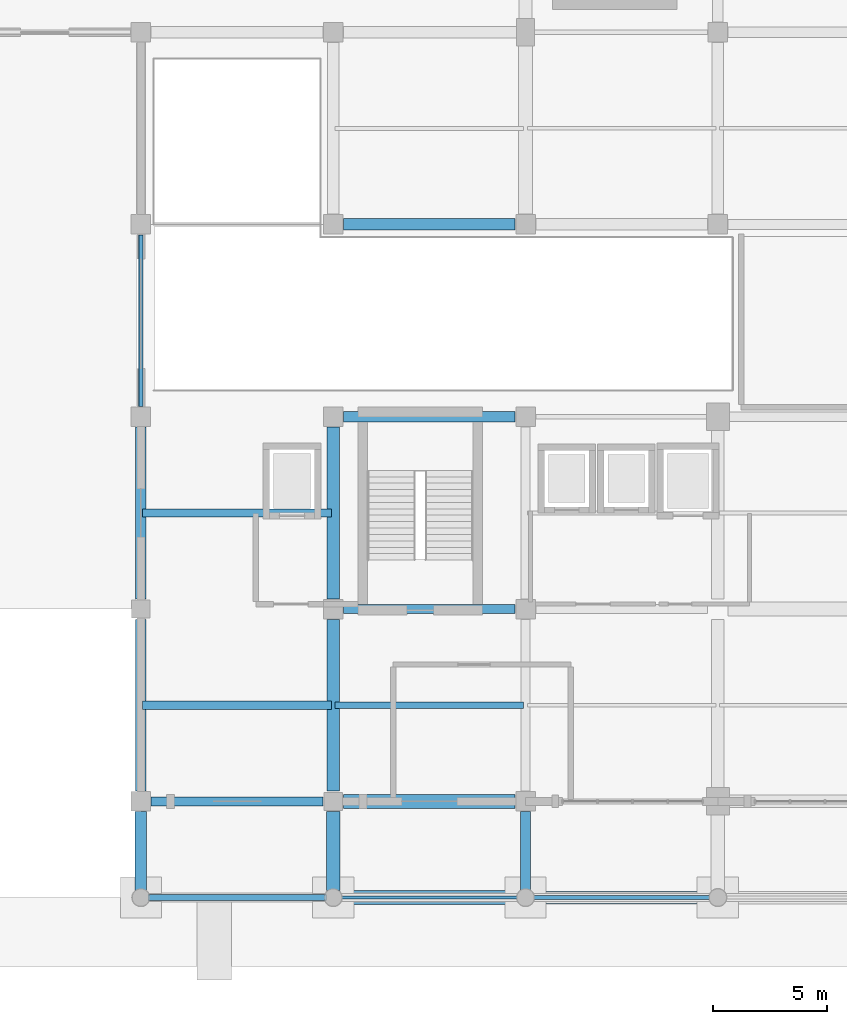
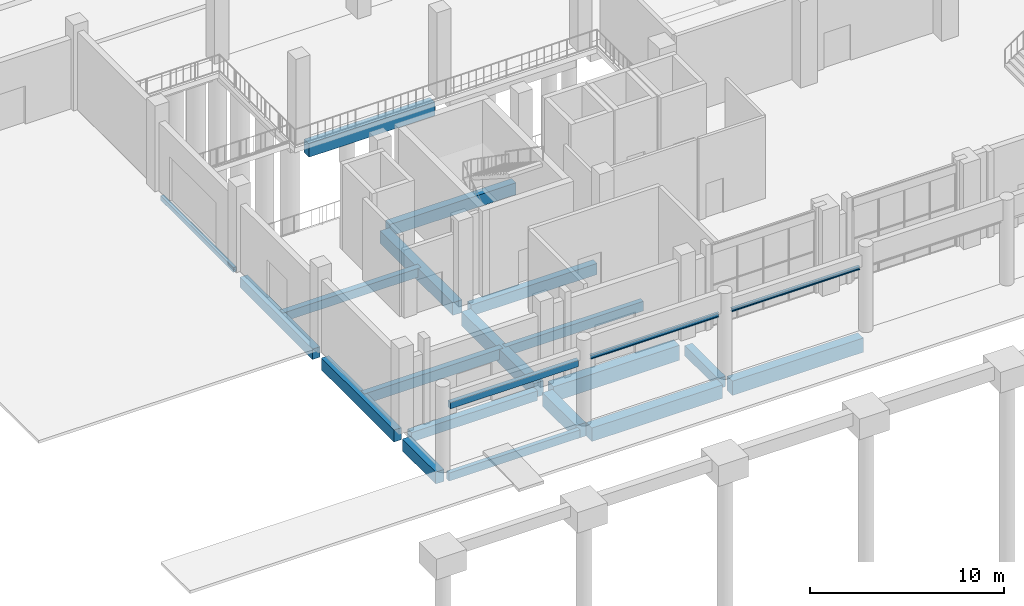
# One storey, part 20 of 82: 22 beams.
"""IFC4 building model written with IfcOpenShell, lengths in metres."""

from ifc_helpers import new_model, si_unit, derived_unit, direction, frame, origin, origin_2d, place, context, subcontext, project, spatial, rectangle, hollow_rectangle, i_section, extrude, material, material_profile, profile_set, type_object, element, save


model = new_model("IFC4")

# Units and contexts
model_context = context("Model", 3, precision=1e-05, world=origin(), true_north=direction((0.0, 1.0)))
body_context = subcontext(model_context, "Body", "Model", "MODEL_VIEW")
ifc_project = project(units=[si_unit("LENGTHUNIT", "METRE"), si_unit("AREAUNIT", "SQUARE_METRE"), si_unit("VOLUMEUNIT", "CUBIC_METRE"), si_unit("PLANEANGLEUNIT", "RADIAN"), si_unit("MASSUNIT", "GRAM", prefix="KILO"), derived_unit("THERMALTRANSMITTANCEUNIT", [(si_unit("POWERUNIT", "WATT"), 1), (si_unit("LENGTHUNIT", "METRE"), -2), (si_unit("THERMODYNAMICTEMPERATUREUNIT", "KELVIN"), -1)])], contexts=[model_context])

# Site, building, storey
site_placement = place(None, origin())
site = spatial("IfcSite", under=ifc_project, at=site_placement, CompositionType="ELEMENT")
building_placement = place(site_placement, origin())
building = spatial("IfcBuilding", under=site, at=building_placement, Name="Barrovel Congress Hotel", CompositionType="ELEMENT")
storey_placement = place(building_placement, origin())
storey = spatial("IfcBuildingStorey", under=building, at=storey_placement, Name="L00", CompositionType="ELEMENT", Elevation=0.0)

# Beams
ifc_material_1 = material(Name="Concrete C40", Category="concrete")
ifc_material_profile_1 = material_profile(ifc_material_1, rectangle(XDim=0.25, YDim=0.39990234375, at=origin_2d()), Name="RC250x400")
ifc_profile_set_1 = profile_set([ifc_material_profile_1], Name="Concrete C40")
beam_type_1 = type_object("IfcBeamType", Name="BM-RC250x400", PredefinedType="LINTEL", material=ifc_profile_set_1)
beam_1_placement = place(storey_placement, frame((17.175048828125, 0.0, 3.89990234375), z_axis=(1.0, 0.0, 0.0), x_axis=(0.0, 1.0, 0.0)))
element("IfcBeam", 1, at=beam_1_placement, inside=storey, type_object=beam_type_1, Name="LIN:L00:16.8-25.2", PredefinedType="LINTEL", context=body_context, shape_type="SweptSolid", body=[
    extrude(rectangle(XDim=0.25, YDim=0.39990234375, at=origin_2d()), origin(), (0.0, 0.0, 1.0), 7.64990234375),
])
ifc_material_profile_2 = material_profile(ifc_material_1, rectangle(XDim=0.25, YDim=0.5, at=origin_2d()), Name="RC250x500")
ifc_profile_set_2 = profile_set([ifc_material_profile_2], Name="Concrete C40")
beam_type_2 = type_object("IfcBeamType", Name="BM-RC250x500", PredefinedType="SPANDREL", material=ifc_profile_set_2)
beam_2_placement = place(storey_placement, frame((17.10009765625, 0.0, -0.570068359375), z_axis=(1.0, 0.0, 0.0), x_axis=(0.0, 1.0, 0.0)))
element("IfcBeam", 2, at=beam_2_placement, inside=storey, type_object=beam_type_2, Name="BMX:L00:0.0:16.8-25.2", PredefinedType="SPANDREL", context=body_context, shape_type="SweptSolid", body=[
    extrude(rectangle(XDim=0.25, YDim=0.5, at=origin_2d()), origin(), (0.0, 0.0, 1.0), 7.7998046875),
])
ifc_material_profile_3 = material_profile(ifc_material_1, rectangle(XDim=0.300048828125, YDim=0.60009765625, at=origin_2d()), Name="RC300x600")
ifc_profile_set_3 = profile_set([ifc_material_profile_3], Name="Concrete C40")
beam_type_3 = type_object("IfcBeamType", Name="BM-RC300x600", PredefinedType="JOIST", material=ifc_profile_set_3)
beam_3_placement = place(storey_placement, frame((25.280029296875, 8.39990234375, -0.6201171875), z_axis=(1.0, 0.0, 0.0), x_axis=(0.0, 1.0, 0.0)))
element("IfcBeam", 3, at=beam_3_placement, inside=storey, type_object=beam_type_3, Name="JST:L00:25.2:8.4", PredefinedType="JOIST", context=body_context, shape_type="SweptSolid", body=[
    extrude(rectangle(XDim=0.300048828125, YDim=0.60009765625, at=origin_2d()), origin(), (0.0, 0.0, 1.0), 8.239990234375),
])
ifc_material_profile_4 = material_profile(ifc_material_1, rectangle(XDim=0.35009765625, YDim=0.550048828125, at=origin_2d()), Name="RC350x550")
ifc_profile_set_4 = profile_set([ifc_material_profile_4], Name="Concrete C40")
beam_type_4 = type_object("IfcBeamType", Name="BM-RC350x550", PredefinedType="JOIST", material=ifc_profile_set_4)
beam_4_placement = place(storey_placement, frame((16.8798828125, 16.800048828125, -0.594970703125), z_axis=(1.0, 0.0, 0.0), x_axis=(0.0, 1.0, 0.0)))
element("IfcBeam", 4, at=beam_4_placement, inside=storey, type_object=beam_type_4, Name="JST:L00:16.8:16.8", PredefinedType="JOIST", context=body_context, shape_type="SweptSolid", body=[
    extrude(rectangle(XDim=0.35009765625, YDim=0.550048828125, at=origin_2d()), origin(), (0.0, 0.0, 1.0), 8.240234375),
])
ifc_material_profile_5 = material_profile(ifc_material_1, rectangle(XDim=0.35009765625, YDim=0.64990234375, at=origin_2d()), Name="RC350x650")
ifc_profile_set_5 = profile_set([ifc_material_profile_5], Name="Concrete C40")
beam_type_5 = type_object("IfcBeamType", Name="BM-RC350x650", PredefinedType="JOIST", material=ifc_profile_set_5)
beam_5_placement = place(storey_placement, frame((16.8798828125, 8.39990234375, -0.64501953125), z_axis=(1.0, 0.0, 0.0), x_axis=(0.0, 1.0, 0.0)))
element("IfcBeam", 5, at=beam_5_placement, inside=storey, type_object=beam_type_5, Name="JST:L00:16.8:8.4", PredefinedType="JOIST", context=body_context, shape_type="SweptSolid", body=[
    extrude(rectangle(XDim=0.35009765625, YDim=0.64990234375, at=origin_2d()), origin(), (0.0, 0.0, 1.0), 8.240234375),
])
ifc_material_profile_6 = material_profile(ifc_material_1, rectangle(XDim=0.39990234375, YDim=0.60009765625, at=origin_2d()), Name="RC400x600")
ifc_profile_set_6 = profile_set([ifc_material_profile_6], Name="Concrete C40")
beam_type_6 = type_object("IfcBeamType", Name="BM-RC400x600", PredefinedType="BEAM", material=ifc_profile_set_6)
beam_6_placement = place(storey_placement, frame((17.25, 4.199951171875, -0.6201171875), z_axis=(1.0, 0.0, 0.0), x_axis=(0.0, 1.0, 0.0)))
element("IfcBeam", 6, at=beam_6_placement, inside=storey, type_object=beam_type_6, Name="BMX:L00:4.2:16.8-25.2", PredefinedType="BEAM", context=body_context, shape_type="SweptSolid", body=[
    extrude(rectangle(XDim=0.39990234375, YDim=0.60009765625, at=origin_2d()), origin(), (0.0, 0.0, 1.0), 7.5),
])
ifc_material_profile_7 = material_profile(ifc_material_1, rectangle(XDim=0.39990234375, YDim=0.699951171875, at=origin_2d()), Name="RC400x700")
ifc_profile_set_7 = profile_set([ifc_material_profile_7], Name="Concrete C40")
beam_type_7 = type_object("IfcBeamType", Name="BM-RC400x700", PredefinedType="BEAM", material=ifc_profile_set_7)
beam_7_placement = place(storey_placement, frame((25.64990234375, 12.60009765625, -0.669921875), z_axis=(1.0, 0.0, 0.0), x_axis=(0.0, 1.0, 0.0)))
element("IfcBeam", 7, at=beam_7_placement, inside=storey, type_object=beam_type_7, Name="BMX:L00:12.6:25.2-33.6", PredefinedType="BEAM", context=body_context, shape_type="SweptSolid", body=[
    extrude(rectangle(XDim=0.39990234375, YDim=0.699951171875, at=origin_2d()), origin(), (0.0, 0.0, 1.0), 7.5),
])
ifc_material_profile_8 = material_profile(ifc_material_1, rectangle(XDim=0.449951171875, YDim=0.64990234375, at=origin_2d()), Name="RC450x650")
ifc_profile_set_8 = profile_set([ifc_material_profile_8], Name="Concrete C40")
beam_type_8 = type_object("IfcBeamType", Name="BM-RC450x650", PredefinedType="BEAM", material=ifc_profile_set_8)
beam_8_placement = place(storey_placement, frame((16.800048828125, 13.050048828125, -0.64501953125), z_axis=(0.0, 1.0, 0.0), x_axis=(-1.0, 0.0, 0.0)))
element("IfcBeam", 8, at=beam_8_placement, inside=storey, type_object=beam_type_8, Name="BMY:L00:16.8:12.6-21.0", PredefinedType="BEAM", context=body_context, shape_type="SweptSolid", body=[
    extrude(rectangle(XDim=0.449951171875, YDim=0.64990234375, at=origin_2d()), origin(), (0.0, 0.0, 1.0), 7.5),
])
beam_9_placement = place(storey_placement, frame((33.60009765625, 0.300048828125, -0.64501953125), z_axis=(0.0, 1.0, 0.0), x_axis=(-1.0, 0.0, 0.0)))
element("IfcBeam", 9, at=beam_9_placement, inside=storey, type_object=beam_type_8, Name="BMY:L00:33.6:0.0-4.2", PredefinedType="BEAM", context=body_context, shape_type="SweptSolid", body=[
    extrude(rectangle(XDim=0.449951171875, YDim=0.64990234375, at=origin_2d()), origin(), (0.0, 0.0, 1.0), 3.449951171875),
])
ifc_material_profile_9 = material_profile(ifc_material_1, rectangle(XDim=0.449951171875, YDim=0.75, at=origin_2d()), Name="RC450x750")
ifc_profile_set_9 = profile_set([ifc_material_profile_9], Name="Concrete C40")
beam_type_9 = type_object("IfcBeamType", Name="BM-RC450x750", PredefinedType="BEAM", material=ifc_profile_set_9)
for number, where, z_axis, x_axis, name in (
    (10, (25.64990234375, 21.0, -0.695068359375), (1.0, 0.0, 0.0), (0.0, 1.0, 0.0), "BMX:L00:21.0:25.2-33.6"),
    (11, (16.800048828125, 4.64990234375, -0.695068359375), (0.0, 1.0, 0.0), (-1.0, 0.0, 0.0), "BMY:L00:16.8:4.2-12.6"),
):
    element("IfcBeam", number, at=place(storey_placement, frame(where, z_axis=z_axis, x_axis=x_axis)), inside=storey, type_object=beam_type_9, Name=name, PredefinedType="BEAM", context=body_context, shape_type="SweptSolid", body=[
        extrude(rectangle(XDim=0.449951171875, YDim=0.75, at=origin_2d()), origin(), (0.0, 0.0, 1.0), 7.5),
    ])
ifc_material_profile_10 = material_profile(ifc_material_1, rectangle(XDim=0.5, YDim=0.75, at=origin_2d()), Name="RC500x750")
ifc_profile_set_10 = profile_set([ifc_material_profile_10], Name="Concrete C40")
beam_type_10 = type_object("IfcBeamType", Name="BM-RC500x750", PredefinedType="BEAM", material=ifc_profile_set_10)
beam_10_placement = place(storey_placement, frame((16.800048828125, 0.300048828125, -0.695068359375), z_axis=(0.0, 1.0, 0.0), x_axis=(-1.0, 0.0, 0.0)))
element("IfcBeam", 12, at=beam_10_placement, inside=storey, type_object=beam_type_10, Name="BMY:L00:16.8:0.0-4.2", PredefinedType="BEAM", context=body_context, shape_type="SweptSolid", body=[
    extrude(rectangle(XDim=0.5, YDim=0.75, at=origin_2d()), origin(), (0.0, 0.0, 1.0), 3.449951171875),
])
ifc_material_profile_11 = material_profile(ifc_material_1, rectangle(XDim=0.5, YDim=0.85009765625, at=origin_2d()), Name="RC500x850")
ifc_profile_set_11 = profile_set([ifc_material_profile_11], Name="Concrete C40")
beam_type_11 = type_object("IfcBeamType", Name="BM-RC500x850", PredefinedType="BEAM", material=ifc_profile_set_11)
beam_11_placement = place(storey_placement, frame((25.64990234375, 29.39990234375, -0.7451171875), z_axis=(1.0, 0.0, 0.0), x_axis=(0.0, 1.0, 0.0)))
element("IfcBeam", 13, at=beam_11_placement, inside=storey, type_object=beam_type_11, Name="BMX:L00:29.4:25.2-33.6", PredefinedType="BEAM", context=body_context, shape_type="SweptSolid", body=[
    extrude(rectangle(XDim=0.5, YDim=0.85009765625, at=origin_2d()), origin(), (0.0, 0.0, 1.0), 7.5),
])
ifc_material_profile_12 = material_profile(ifc_material_1, rectangle(XDim=0.550048828125, YDim=0.800048828125, at=origin_2d()), Name="RC550x800")
ifc_profile_set_12 = profile_set([ifc_material_profile_12], Name="Concrete C40")
beam_type_12 = type_object("IfcBeamType", Name="BM-RC550x800", PredefinedType="BEAM", material=ifc_profile_set_12)
beam_12_placement = place(storey_placement, frame((25.199951171875, 13.050048828125, -0.719970703125), z_axis=(0.0, 1.0, 0.0), x_axis=(-1.0, 0.0, 0.0)))
element("IfcBeam", 14, at=beam_12_placement, inside=storey, type_object=beam_type_12, Name="BMY:L00:25.2:12.6-21.0", PredefinedType="BEAM", context=body_context, shape_type="SweptSolid", body=[
    extrude(rectangle(XDim=0.550048828125, YDim=0.800048828125, at=origin_2d()), origin(), (0.0, 0.0, 1.0), 7.5),
])
ifc_material_profile_13 = material_profile(ifc_material_1, rectangle(XDim=0.550048828125, YDim=0.89990234375, at=origin_2d()), Name="RC550x900")
ifc_profile_set_13 = profile_set([ifc_material_profile_13], Name="Concrete C40")
beam_type_13 = type_object("IfcBeamType", Name="BM-RC550x900", PredefinedType="BEAM", material=ifc_profile_set_13)
beam_13_placement = place(storey_placement, frame((33.89990234375, 0.0, -0.77001953125), z_axis=(1.0, 0.0, 0.0), x_axis=(0.0, 1.0, 0.0)))
element("IfcBeam", 15, at=beam_13_placement, inside=storey, type_object=beam_type_13, Name="BMX:L00:0.0:33.6-42.0", PredefinedType="BEAM", context=body_context, shape_type="SweptSolid", body=[
    extrude(rectangle(XDim=0.550048828125, YDim=0.89990234375, at=origin_2d()), origin(), (0.0, 0.0, 1.0), 7.800048828125),
])
beam_14_placement = place(storey_placement, frame((25.199951171875, 4.64990234375, -0.77001953125), z_axis=(0.0, 1.0, 0.0), x_axis=(-1.0, 0.0, 0.0)))
element("IfcBeam", 16, at=beam_14_placement, inside=storey, type_object=beam_type_13, Name="BMY:L00:25.2:4.2-12.6", PredefinedType="BEAM", context=body_context, shape_type="SweptSolid", body=[
    extrude(rectangle(XDim=0.550048828125, YDim=0.89990234375, at=origin_2d()), origin(), (0.0, 0.0, 1.0), 7.5),
])
ifc_material_profile_14 = material_profile(ifc_material_1, rectangle(XDim=0.60009765625, YDim=0.85009765625, at=origin_2d()), Name="RC600x850")
ifc_profile_set_14 = profile_set([ifc_material_profile_14], Name="Concrete C40")
beam_type_14 = type_object("IfcBeamType", Name="BM-RC600x850", PredefinedType="BEAM", material=ifc_profile_set_14)
beam_15_placement = place(storey_placement, frame((25.5, 0.0, -0.7451171875), z_axis=(1.0, 0.0, 0.0), x_axis=(0.0, 1.0, 0.0)))
element("IfcBeam", 17, at=beam_15_placement, inside=storey, type_object=beam_type_14, Name="BMX:L00:0.0:25.2-33.6", PredefinedType="BEAM", context=body_context, shape_type="SweptSolid", body=[
    extrude(rectangle(XDim=0.60009765625, YDim=0.85009765625, at=origin_2d()), origin(), (0.0, 0.0, 1.0), 7.800048828125),
])
beam_16_placement = place(storey_placement, frame((25.199951171875, 0.300048828125, -0.7451171875), z_axis=(0.0, 1.0, 0.0), x_axis=(-1.0, 0.0, 0.0)))
element("IfcBeam", 18, at=beam_16_placement, inside=storey, type_object=beam_type_14, Name="BMY:L00:25.2:0.0-4.2", PredefinedType="BEAM", context=body_context, shape_type="SweptSolid", body=[
    extrude(rectangle(XDim=0.60009765625, YDim=0.85009765625, at=origin_2d()), origin(), (0.0, 0.0, 1.0), 3.449951171875),
])
ifc_material_profile_15 = material_profile(ifc_material_1, rectangle(XDim=0.60009765625, YDim=0.949951171875, at=origin_2d()), Name="RC600x950")
ifc_profile_set_15 = profile_set([ifc_material_profile_15], Name="Concrete C40")
beam_type_15 = type_object("IfcBeamType", Name="BM-RC600x950", PredefinedType="BEAM", material=ifc_profile_set_15)
beam_17_placement = place(storey_placement, frame((25.64990234375, 4.199951171875, -0.794921875), z_axis=(1.0, 0.0, 0.0), x_axis=(0.0, 1.0, 0.0)))
element("IfcBeam", 19, at=beam_17_placement, inside=storey, type_object=beam_type_15, Name="BMX:L00:4.2:25.2-33.6", PredefinedType="BEAM", context=body_context, shape_type="SweptSolid", body=[
    extrude(rectangle(XDim=0.60009765625, YDim=0.949951171875, at=origin_2d()), origin(), (0.0, 0.0, 1.0), 7.5),
])
ifc_material_2 = material(Name="Steel ASTM A500 Grade C", Category="steel")
ifc_material_profile_16 = material_profile(ifc_material_2, hollow_rectangle(XDim=0.203125, YDim=0.3046875, WallThickness=0.01171875, InnerFilletRadius=0.01171875, OuterFilletRadius=0.023681640625, at=origin_2d()), Name="HSS305x203x12.7")
ifc_profile_set_16 = profile_set([ifc_material_profile_16], Name="Steel ASTM A500 Grade C")
beam_type_16 = type_object("IfcBeamType", Name="SBM-HSS305x203x12.7", PredefinedType="SPANDREL", material=ifc_profile_set_16)
beam_18_placement = place(storey_placement, frame((16.800048828125, 21.449951171875, -0.472412109375), z_axis=(0.0, 1.0, 0.0), x_axis=(-1.0, 0.0, 0.0)))
element("IfcBeam", 20, at=beam_18_placement, inside=storey, type_object=beam_type_16, Name="BMY:L00:16.8:21.0-29.4", PredefinedType="SPANDREL", context=body_context, shape_type="SweptSolid", body=[
    extrude(hollow_rectangle(XDim=0.203125, YDim=0.3046875, WallThickness=0.01171875, InnerFilletRadius=0.01171875, OuterFilletRadius=0.023681640625, at=origin_2d()), origin(), (0.0, 0.0, 1.0), 7.5),
])
ifc_material_3 = material(Name="Steel ASTM A992 Grade 50", Category="steel")
ifc_material_profile_17 = material_profile(ifc_material_3, i_section(OverallWidth=0.166015625, OverallDepth=0.205078125, WebThickness=0.007080078125, FlangeThickness=0.01171875, FilletRadius=0.010009765625, at=origin_2d()), Name="W200x42")
ifc_profile_set_17 = profile_set([ifc_material_profile_17], Name="Steel ASTM A992 Grade 50")
beam_type_17 = type_object("IfcBeamType", Name="SBM-W200x42", PredefinedType="LINTEL", material=ifc_profile_set_17)
beam_19_placement = place(storey_placement, frame((33.97509765625, 0.0, 3.99755859375), z_axis=(1.0, 0.0, 0.0), x_axis=(0.0, 1.0, 0.0)))
element("IfcBeam", 21, at=beam_19_placement, inside=storey, type_object=beam_type_17, Name="LIN:L00:33.6-42.0", PredefinedType="LINTEL", context=body_context, shape_type="SweptSolid", body=[
    extrude(i_section(OverallWidth=0.166015625, OverallDepth=0.205078125, WebThickness=0.007080078125, FlangeThickness=0.01171875, FilletRadius=0.010009765625, at=origin_2d()), origin(), (0.0, 0.0, 1.0), 7.64990234375),
])
ifc_material_profile_18 = material_profile(ifc_material_3, i_section(OverallWidth=0.14599609375, OverallDepth=0.258056640625, WebThickness=0.006103515625, FlangeThickness=0.009033203125, FilletRadius=0.010009765625, at=origin_2d()), Name="W250x33")
ifc_profile_set_18 = profile_set([ifc_material_profile_18], Name="Steel ASTM A992 Grade 50")
beam_type_18 = type_object("IfcBeamType", Name="SBM-W250x33", PredefinedType="LINTEL", material=ifc_profile_set_18)
beam_20_placement = place(storey_placement, frame((25.574951171875, 0.0, 3.970947265625), z_axis=(1.0, 0.0, 0.0), x_axis=(0.0, 1.0, 0.0)))
element("IfcBeam", 22, at=beam_20_placement, inside=storey, type_object=beam_type_18, Name="LIN:L00:25.2-33.6", PredefinedType="LINTEL", context=body_context, shape_type="SweptSolid", body=[
    extrude(i_section(OverallWidth=0.14599609375, OverallDepth=0.258056640625, WebThickness=0.006103515625, FlangeThickness=0.009033203125, FilletRadius=0.010009765625, at=origin_2d()), origin(), (0.0, 0.0, 1.0), 7.650146484375),
])

save(model, "model.ifc")
